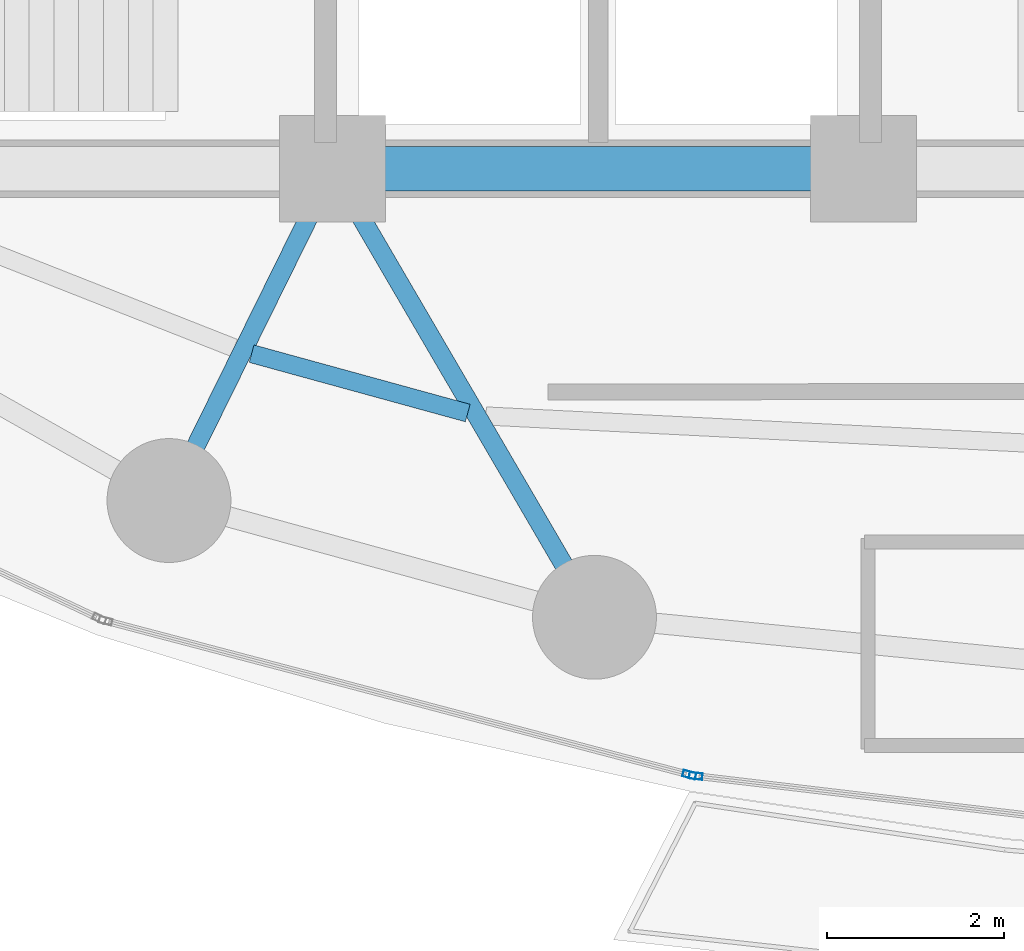
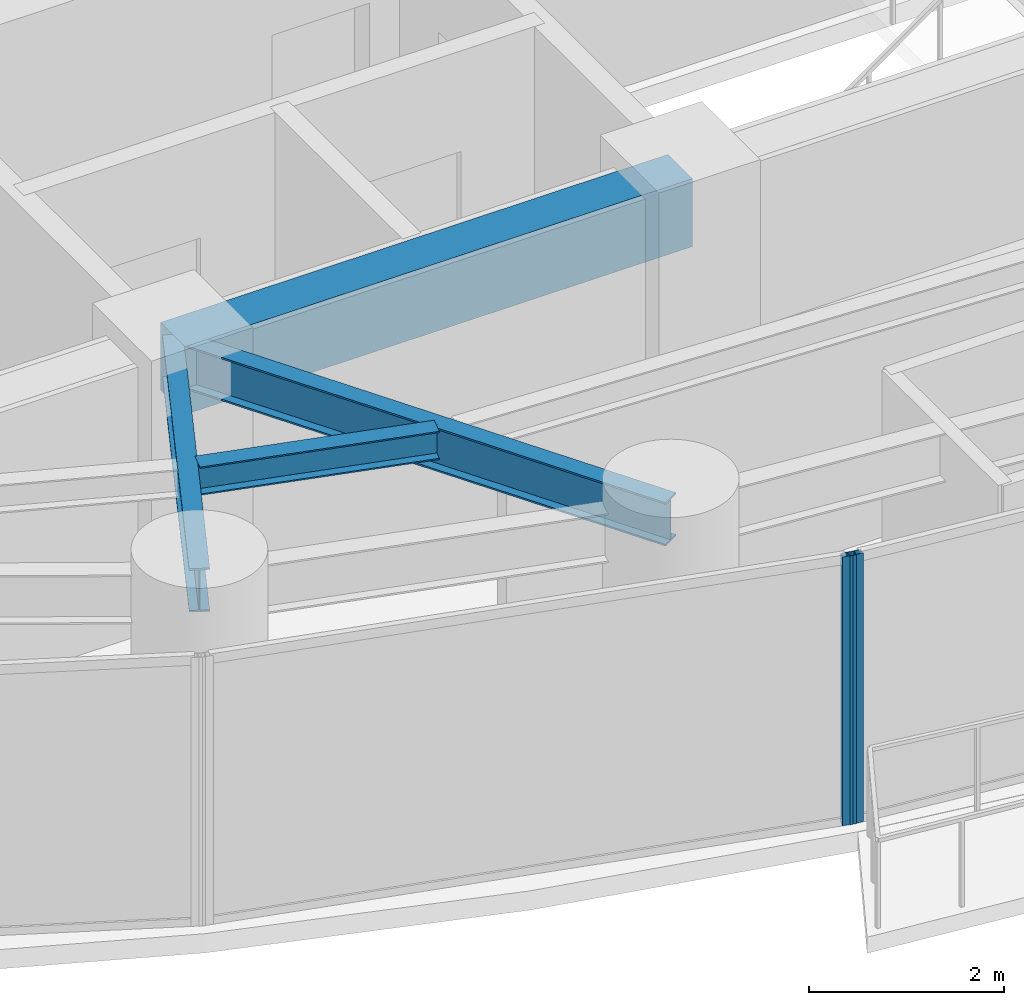
# One storey, part 5 of 30: 4 beams, 2 members, 2 elements without a shape of their own.
"""IFC4 building model written with IfcOpenShell, lengths in metres."""

from ifc_helpers import new_model, si_unit, direction, frame, origin, origin_2d, place, context, subcontext, project, spatial, rectangle, hollow_rectangle, i_section, extrude, material, layer, layer_set, material_profile, profile_set, type_object, element, aggregate, save


model = new_model("IFC4")

# Units and contexts
model_context = context("Model", 3, precision=1e-05, world=origin(), true_north=direction((0.0, 1.0)))
body_context = subcontext(model_context, "Body", "Model", "MODEL_VIEW")
ifc_project = project(units=[si_unit("LENGTHUNIT", "METRE"), si_unit("AREAUNIT", "SQUARE_METRE"), si_unit("VOLUMEUNIT", "CUBIC_METRE"), si_unit("PLANEANGLEUNIT", "RADIAN"), si_unit("MASSUNIT", "GRAM", prefix="KILO")], contexts=[model_context])

# Site, building, storey
site_placement = place(None, origin())
site = spatial("IfcSite", under=ifc_project, at=site_placement, CompositionType="ELEMENT")
building_placement = place(site_placement, origin())
building = spatial("IfcBuilding", under=site, at=building_placement, Name="Kazevale Care Tower and Concert Hall", CompositionType="ELEMENT")
storey_placement = place(building_placement, frame((0.0, 0.0, 70.800048828125)))
storey = spatial("IfcBuildingStorey", under=building, at=storey_placement, Name="L18", CompositionType="ELEMENT", Elevation=70.800048828125)

# Curtain wall, member
ifc_material_1 = material(Name="Aluminium 6063-T6 and Low-E Glass", Category="aluminium")
ifc_layer = layer(ifc_material_1, 0.179931640625)
ifc_layer_set = layer_set([ifc_layer], Name="Aluminium 6063-T6 and Low-E Glass")
curtain_wall_type = type_object("IfcCurtainWallType", Name="Sheltered Concave Balcony Curtain Wall CW-5", PredefinedType="NOTDEFINED", material=ifc_layer_set)
curtain_wall_1_placement = place(storey_placement, origin())
curtain_wall_1 = element("IfcCurtainWall", 1, at=curtain_wall_1_placement, inside=storey, type_object=curtain_wall_type, Name="cw:L18:f07", PredefinedType="NOTDEFINED")
ifc_material_2 = material(Name="Aluminium 6063-T6", Category="aluminium")
ifc_material_profile_1 = material_profile(ifc_material_2, hollow_rectangle(XDim=0.074951171875, YDim=0.14990234375, WallThickness=0.00390625, at=origin_2d()), Name="ALU75x150x4")
ifc_profile_set_1 = profile_set([ifc_material_profile_1], Name="Aluminium 6063-T6")
member_type = type_object("IfcMemberType", Name="CW-5 Mullion ALU75x150x4", PredefinedType="MULLION", material=ifc_profile_set_1)
member_1_placement = place(storey_placement, frame((34.105224609375, 16.736572265625, 0.0), z_axis=(0.0, 0.0, 1.0), x_axis=(-0.117519084253, -0.993070624294, 0.0)))
member_1 = element("IfcMember", 2, at=member_1_placement, type_object=member_type, Name="CW-5 mullion 2", PredefinedType="MULLION", context=body_context, shape_type="SweptSolid", body=[
    extrude(hollow_rectangle(XDim=0.074951171875, YDim=0.14990234375, WallThickness=0.00390625, at=origin_2d()), origin(), (0.0, 0.0, 1.0), 3.35986328125),
])
aggregate(curtain_wall_1, [member_1])

curtain_wall_2_placement = place(storey_placement, origin())
curtain_wall_2 = element("IfcCurtainWall", 3, at=curtain_wall_2_placement, inside=storey, type_object=curtain_wall_type, Name="cw:L18:f08", PredefinedType="NOTDEFINED")
member_2_placement = place(storey_placement, frame((34.03173828125, 16.75048828125, 0.0), z_axis=(0.0, 0.0, 1.0), x_axis=(-0.254828630267, -0.966986230097, 0.0)))
member_2 = element("IfcMember", 4, at=member_2_placement, type_object=member_type, Name="CW-5 mullion 1", PredefinedType="MULLION", context=body_context, shape_type="SweptSolid", body=[
    extrude(hollow_rectangle(XDim=0.074951171875, YDim=0.14990234375, WallThickness=0.00390625, at=origin_2d()), origin(), (0.0, 0.0, 1.0), 3.35986328125),
])
aggregate(curtain_wall_2, [member_2])

# Beams
ifc_material_3 = material(Name="Concrete C60", Category="concrete")
ifc_material_profile_2 = material_profile(ifc_material_3, rectangle(XDim=0.5, YDim=0.85009765625, at=origin_2d()), Name="RC-B500x850")
ifc_profile_set_2 = profile_set([ifc_material_profile_2], Name="Concrete C60")
beam_type_1 = type_object("IfcBeamType", Name="Core Coupling Beam RC500x850", PredefinedType="LINTEL", material=ifc_profile_set_2)
beam_1_placement = place(storey_placement, frame((30.0, 23.60009765625, 2.93505859375), z_axis=(1.0, 0.0, 0.0), x_axis=(0.0, 1.0, 0.0)))
element("IfcBeam", 5, at=beam_1_placement, inside=storey, type_object=beam_type_1, Name="beam:L18:coretie:2", PredefinedType="LINTEL", context=body_context, shape_type="SweptSolid", body=[
    extrude(rectangle(XDim=0.5, YDim=0.85009765625, at=origin_2d()), origin(), (0.0, 0.0, 1.0), 6.0),
])
ifc_material_4 = material(Name="Steel ASTM A572 Gr 50", Category="steel")
ifc_material_profile_3 = material_profile(ifc_material_4, i_section(OverallWidth=0.2119140625, OverallDepth=0.5439453125, WebThickness=0.01318359375, FlangeThickness=0.021240234375, at=origin_2d()), Name="W530x123")
ifc_profile_set_3 = profile_set([ifc_material_profile_3], Name="Steel ASTM A572 Gr 50")
beam_type_2 = type_object("IfcBeamType", Name="Radial Floor Girder W530x123", PredefinedType="BEAM", material=ifc_profile_set_3)
beam_2_placement = place(storey_placement, frame((30.0, 23.60009765625, 3.087890625), z_axis=(-0.442443019162, -0.896796618412, 0.0), x_axis=(0.896796618412, -0.442443019162, 0.0)))
element("IfcBeam", 6, at=beam_2_placement, inside=storey, type_object=beam_type_2, Name="beam:L18:rad:11", PredefinedType="BEAM", context=body_context, shape_type="SweptSolid", body=[
    extrude(i_section(OverallWidth=0.2119140625, OverallDepth=0.5439453125, WebThickness=0.01318359375, FlangeThickness=0.021240234375, at=origin_2d()), origin(), (0.0, 0.0, 1.0), 4.181640625),
])
beam_3_placement = place(storey_placement, frame((30.0, 23.60009765625, 3.087890625), z_axis=(0.50417868077, -0.86359936189, 0.0), x_axis=(0.86359936189, 0.50417868077, 0.0)))
element("IfcBeam", 7, at=beam_3_placement, inside=storey, type_object=beam_type_2, Name="beam:L18:rad:12", PredefinedType="BEAM", context=body_context, shape_type="SweptSolid", body=[
    extrude(i_section(OverallWidth=0.2119140625, OverallDepth=0.5439453125, WebThickness=0.01318359375, FlangeThickness=0.021240234375, at=origin_2d()), origin(), (0.0, 0.0, 1.0), 5.870849609375),
])
ifc_material_profile_4 = material_profile(ifc_material_4, i_section(OverallWidth=0.205078125, OverallDepth=0.35400390625, WebThickness=0.009521484375, FlangeThickness=0.016845703125, at=origin_2d()), Name="W360x79")
ifc_profile_set_4 = profile_set([ifc_material_profile_4], Name="Steel ASTM A572 Gr 50")
beam_type_3 = type_object("IfcBeamType", Name="Secondary Floor Joist W360x79", PredefinedType="JOIST", material=ifc_profile_set_4)
beam_4_placement = place(storey_placement, frame((29.083984375, 21.510009765625, 3.182861328125), z_axis=(0.964302027389, -0.264804833743, 0.0), x_axis=(0.264804833743, 0.964302027389, 0.0)))
element("IfcBeam", 8, at=beam_4_placement, inside=storey, type_object=beam_type_3, Name="beam:L18:joist:11", PredefinedType="JOIST", context=body_context, shape_type="SweptSolid", body=[
    extrude(i_section(OverallWidth=0.205078125, OverallDepth=0.35400390625, WebThickness=0.009521484375, FlangeThickness=0.016845703125, at=origin_2d()), origin(), (0.0, 0.0, 1.0), 2.533447265625),
])

save(model, "model.ifc")
